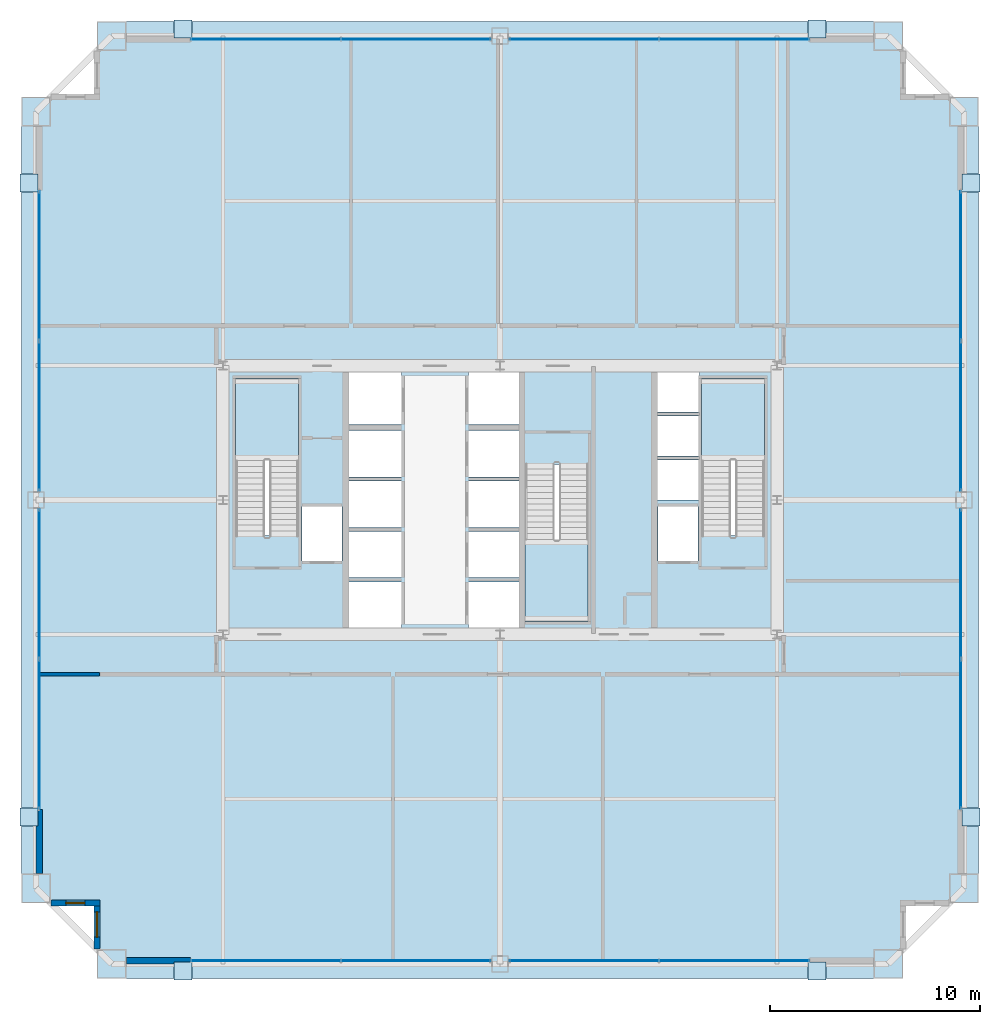
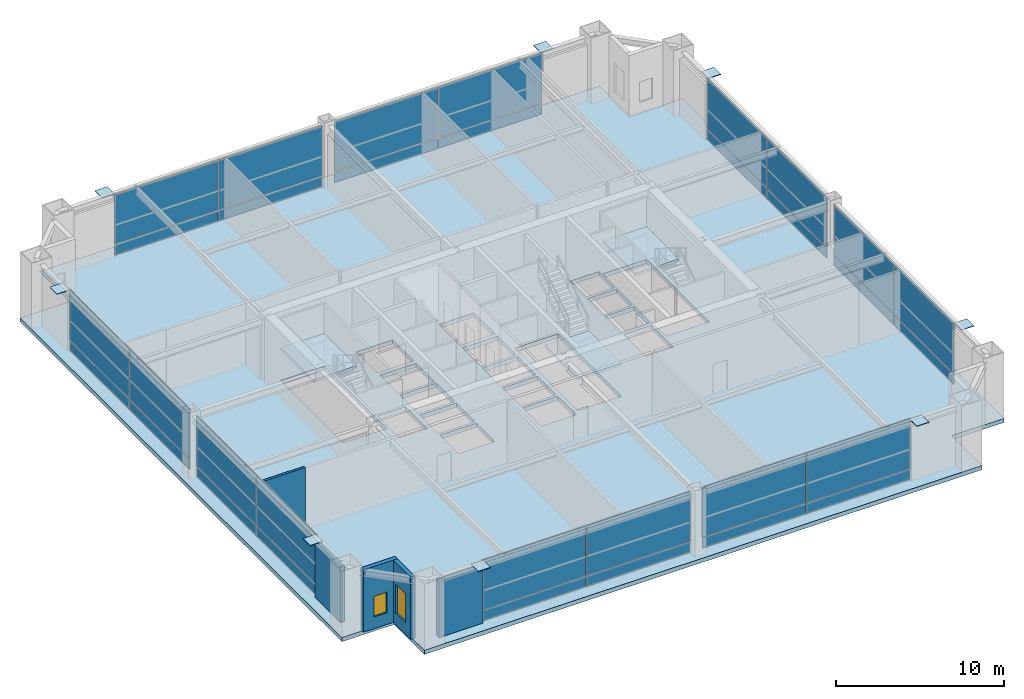
# One storey, part 30 of 34: 40 plates, 5 walls, 4 slabs, 2 windows, 2 openings, 11 elements without a shape of their own.
"""IFC4 building model written with IfcOpenShell, lengths in metres."""

from ifc_helpers import new_model, si_unit, direction, frame, frame_2d, origin, origin_2d, place, context, subcontext, project, spatial, polyline, rectangle, outline, extrude, source, transform, mapped, material, layer, layer_set, type_object, element, fill, aggregate, save


model = new_model("IFC4")

# Units and contexts
model_context = context("Model", 3, precision=1e-05, world=origin(), true_north=direction((0.0, 1.0)))
body_context = subcontext(model_context, "Body", "Model", "MODEL_VIEW")
ifc_project = project(units=[si_unit("LENGTHUNIT", "METRE"), si_unit("AREAUNIT", "SQUARE_METRE"), si_unit("VOLUMEUNIT", "CUBIC_METRE"), si_unit("PLANEANGLEUNIT", "RADIAN"), si_unit("MASSUNIT", "GRAM", prefix="KILO"), si_unit("THERMODYNAMICTEMPERATUREUNIT", "KELVIN"), si_unit("POWERUNIT", "WATT")], contexts=[model_context])

# Site, building, storey
site_placement = place(None, origin())
site = spatial("IfcSite", under=ifc_project, at=site_placement, CompositionType="ELEMENT")
building_placement = place(site_placement, origin())
building = spatial("IfcBuilding", under=site, at=building_placement, Name="Yuzanri Waterfront Tower", CompositionType="ELEMENT")
storey_placement = place(building_placement, frame((0.0, 0.0, 171.60009765625)))
storey = spatial("IfcBuildingStorey", under=building, at=storey_placement, Name="L45", CompositionType="ELEMENT", Elevation=171.60009765625)

# Stair, slab
ifc_material_1 = material(Name="Concrete C40", Category="concrete")
stair_type = type_object("IfcStairType", Name="Concrete C40 Core Dogleg Exit Stair", PredefinedType="HALF_TURN_STAIR", material=ifc_material_1)
stair_1_placement = place(storey_placement, origin())
stair_1 = element("IfcStair", 1, at=stair_1_placement, inside=storey, type_object=stair_type, Name="L45 Smoke-Proof Core Stair ST-01", PredefinedType="HALF_TURN_STAIR")
ifc_material_2 = material(Name="Concrete C40", Category="concrete")
ifc_layer_1 = layer(ifc_material_2, 0.179931640625)
ifc_layer_set_1 = layer_set([ifc_layer_1], Name="Concrete C40")
slab_type_1 = type_object("IfcSlabType", Name="Concrete C40 Stair Half-Landing Slab 180", PredefinedType="LANDING", material=ifc_layer_set_1)
slab_1_placement = place(storey_placement, frame((0.0, 0.0, 2.199951171875)))
slab_1 = element("IfcSlab", 2, at=slab_1_placement, type_object=slab_type_1, Name="ST-01 landing 1", PredefinedType="LANDING", context=body_context, shape_type="SweptSolid", body=[
    extrude(outline(polyline([(27.39990234375, 27.679931640625), (27.39990234375, 31.580078125), (24.39990234375, 31.580078125), (24.39990234375, 27.679931640625), (27.39990234375, 27.679931640625)])), origin(), (0.0, 0.0, 1.0), 0.199951171875),
])
aggregate(stair_1, [slab_1])

stair_2_placement = place(storey_placement, origin())
stair_2 = element("IfcStair", 3, at=stair_2_placement, inside=storey, type_object=stair_type, Name="L45 Smoke-Proof Core Stair ST-02", PredefinedType="HALF_TURN_STAIR")
slab_2_placement = place(storey_placement, frame((0.0, 0.0, 2.199951171875)))
slab_2 = element("IfcSlab", 4, at=slab_2_placement, type_object=slab_type_1, Name="ST-02 landing 1", PredefinedType="LANDING", context=body_context, shape_type="SweptSolid", body=[
    extrude(outline(polyline([(49.60009765625, 27.679931640625), (49.60009765625, 31.580078125), (46.60009765625, 31.580078125), (46.60009765625, 27.679931640625), (49.60009765625, 27.679931640625)])), origin(), (0.0, 0.0, 1.0), 0.199951171875),
])
aggregate(stair_2, [slab_2])

stair_3_placement = place(storey_placement, origin())
stair_3 = element("IfcStair", 5, at=stair_3_placement, inside=storey, type_object=stair_type, Name="L45 Smoke-Proof Core Stair ST-03", PredefinedType="HALF_TURN_STAIR")
slab_3_placement = place(storey_placement, frame((0.0, 0.0, 2.199951171875)))
slab_3 = element("IfcSlab", 6, at=slab_3_placement, type_object=slab_type_1, Name="ST-03 landing 1", PredefinedType="LANDING", context=body_context, shape_type="SweptSolid", body=[
    extrude(outline(polyline([(38.199951171875, 23.919921875), (38.199951171875, 20.02001953125), (41.199951171875, 20.02001953125), (41.199951171875, 23.919921875), (38.199951171875, 23.919921875)])), origin(), (0.0, 0.0, 1.0), 0.199951171875),
])
aggregate(stair_3, [slab_3])

# Slab
ifc_material_3 = material(Name="Concrete C45", Category="concrete")
ifc_layer_2 = layer(ifc_material_3, 0.300048828125)
ifc_layer_set_2 = layer_set([ifc_layer_2], Name="Concrete C45")
slab_type_2 = type_object("IfcSlabType", Name="Concrete C45 Transfer and Sky-Lobby Structural Floor Slab 300", PredefinedType="FLOOR", material=ifc_layer_set_2)
slab_4_placement = place(storey_placement, frame((0.0, 0.0, -0.300048828125)))
element("IfcSlab", 7, at=slab_4_placement, inside=storey, type_object=slab_type_2, Name="L45 Main Structural Floor Slab", PredefinedType="FLOOR", context=body_context, shape_type="SweptSolid", body=[
    extrude(outline(polyline([(17.800048828125, 3.0), (56.199951171875, 3.0), (56.199951171875, 6.60009765625), (59.800048828125, 6.60009765625), (59.800048828125, 45.0), (56.199951171875, 45.0), (56.199951171875, 48.60009765625), (17.800048828125, 48.60009765625), (17.800048828125, 45.0), (14.199951171875, 45.0), (14.199951171875, 6.60009765625), (17.800048828125, 6.60009765625), (17.800048828125, 3.0)]), holes=[polyline([(27.39990234375, 24.10009765625), (27.39990234375, 31.580078125), (24.39990234375, 31.580078125), (24.39990234375, 24.10009765625), (27.39990234375, 24.10009765625)]), polyline([(49.60009765625, 24.10009765625), (49.60009765625, 31.580078125), (46.60009765625, 31.580078125), (46.60009765625, 24.10009765625), (49.60009765625, 24.10009765625)]), polyline([(38.199951171875, 27.5), (38.199951171875, 20.02001953125), (41.199951171875, 20.02001953125), (41.199951171875, 27.5), (38.199951171875, 27.5)]), polyline([(27.56005859375, 22.89990234375), (29.47998046875, 22.89990234375), (29.47998046875, 25.5), (27.56005859375, 25.5), (27.56005859375, 22.89990234375)]), polyline([(44.52001953125, 22.89990234375), (46.43994140625, 22.89990234375), (46.43994140625, 25.5), (44.52001953125, 25.5), (44.52001953125, 22.89990234375)]), polyline([(29.800048828125, 19.699951171875), (32.300048828125, 19.699951171875), (32.300048828125, 21.89990234375), (29.800048828125, 21.89990234375), (29.800048828125, 19.699951171875)]), polyline([(29.800048828125, 22.10009765625), (32.300048828125, 22.10009765625), (32.300048828125, 24.300048828125), (29.800048828125, 24.300048828125), (29.800048828125, 22.10009765625)]), polyline([(29.800048828125, 24.5), (32.300048828125, 24.5), (32.300048828125, 26.699951171875), (29.800048828125, 26.699951171875), (29.800048828125, 24.5)]), polyline([(29.800048828125, 26.89990234375), (32.300048828125, 26.89990234375), (32.300048828125, 29.10009765625), (29.800048828125, 29.10009765625), (29.800048828125, 26.89990234375)]), polyline([(29.800048828125, 29.39990234375), (32.300048828125, 29.39990234375), (32.300048828125, 31.89990234375), (29.800048828125, 31.89990234375), (29.800048828125, 29.39990234375)]), polyline([(35.5, 19.699951171875), (37.89990234375, 19.699951171875), (37.89990234375, 21.89990234375), (35.5, 21.89990234375), (35.5, 19.699951171875)]), polyline([(35.5, 22.10009765625), (37.89990234375, 22.10009765625), (37.89990234375, 24.300048828125), (35.5, 24.300048828125), (35.5, 22.10009765625)]), polyline([(35.5, 24.5), (37.89990234375, 24.5), (37.89990234375, 26.699951171875), (35.5, 26.699951171875), (35.5, 24.5)]), polyline([(35.5, 26.89990234375), (37.89990234375, 26.89990234375), (37.89990234375, 29.10009765625), (35.5, 29.10009765625), (35.5, 26.89990234375)]), polyline([(35.5, 29.39990234375), (37.89990234375, 29.39990234375), (37.89990234375, 31.89990234375), (35.5, 31.89990234375), (35.5, 29.39990234375)]), polyline([(44.5, 25.800048828125), (46.5, 25.800048828125), (46.5, 27.699951171875), (44.5, 27.699951171875), (44.5, 25.800048828125)]), polyline([(44.5, 27.89990234375), (46.5, 27.89990234375), (46.5, 29.800048828125), (44.5, 29.800048828125), (44.5, 27.89990234375)]), polyline([(44.5, 30.0), (46.5, 30.0), (46.5, 31.89990234375), (44.5, 31.89990234375), (44.5, 30.0)])]), origin(), (0.0, 0.0, 1.0), 0.300048828125),
])

# Plates
ifc_material_4 = material(Name="Steel Q420GJC", Category="steel")
ifc_layer_3 = layer(ifc_material_4, 0.0400390625)
ifc_layer_set_3 = layer_set([ifc_layer_3], Name="Steel Q420GJC")
plate_type_1 = type_object("IfcPlateType", Name="Steel Q420GJC Mega-Brace Gusset and End-Cap Plate 40", PredefinedType="SHEET", material=ifc_layer_set_3)
shared_shape_1 = source(origin(), body_context, "Body", "SweptSolid", [
    extrude(rectangle(XDim=0.85009765625, YDim=0.85009765625, at=origin_2d()), origin(), (0.0, 0.0, 1.0), 0.0400390625),
])
for number, where, z_axis, x_axis, name in (
    (8, (21.89990234375, 3.360107421875, 4.4599609375), (0.0, 0.0, 1.0), (1.0, 0.0, 0.0), "L45 Mega-Brace Apex Cap Plate S-L"),
    (9, (52.10009765625, 3.360107421875, 4.4599609375), (0.0, 0.0, 1.0), (1.0, 0.0, 0.0), "L45 Mega-Brace Apex Cap Plate S-R"),
    (10, (21.89990234375, 48.239990234375, 4.4599609375), (0.0, 0.0, 1.0), (1.0, 0.0, 0.0), "L45 Mega-Brace Apex Cap Plate N-L"),
    (11, (52.10009765625, 48.239990234375, 4.4599609375), (0.0, 0.0, 1.0), (1.0, 0.0, 0.0), "L45 Mega-Brace Apex Cap Plate N-R"),
    (12, (14.56005859375, 10.699951171875, 4.4599609375), (0.0, 0.0, 1.0), (1.0, 0.0, 0.0), "L45 Mega-Brace Apex Cap Plate W-L"),
    (13, (14.56005859375, 40.89990234375, 4.4599609375), (0.0, 0.0, 1.0), (1.0, 0.0, 0.0), "L45 Mega-Brace Apex Cap Plate W-R"),
    (14, (59.43994140625, 10.699951171875, 4.4599609375), (0.0, 0.0, 1.0), (1.0, 0.0, 0.0), "L45 Mega-Brace Apex Cap Plate E-L"),
    (15, (59.43994140625, 40.89990234375, 4.4599609375), (0.0, 0.0, 1.0), (1.0, 0.0, 0.0), "L45 Mega-Brace Apex Cap Plate E-R"),
):
    element("IfcPlate", number, at=place(storey_placement, frame(where, z_axis=z_axis, x_axis=x_axis)), inside=storey, type_object=plate_type_1, Name=name, PredefinedType="SHEET", context=body_context, shape_type="MappedRepresentation", body=[
        mapped(shared_shape_1, transform((0.0, 0.0, 0.0), scale=1.0)),
    ])

# Curtain wall, plates
ifc_material_5 = material(Name="Anodized Architectural Bronze", Category="metal")
ifc_layer_4 = layer(ifc_material_5, 0.159912109375)
ifc_layer_set_4 = layer_set([ifc_layer_4], Name="Anodized Architectural Bronze")
curtain_wall_type = type_object("IfcCurtainWallType", Name="Anodized Bronze Sky-Lobby Triple-Glazed Feature Curtain Wall 7500", PredefinedType="NOTDEFINED", material=ifc_layer_set_4)
curtain_wall_1_placement = place(storey_placement, origin())
curtain_wall_1 = element("IfcCurtainWall", 16, at=curtain_wall_1_placement, inside=storey, type_object=curtain_wall_type, Name="L45 Curtain Wall CW-L45-SL", PredefinedType="NOTDEFINED")
ifc_material_6 = material(Name="Anodized Architectural Bronze", Category="metal")
ifc_layer_5 = layer(ifc_material_6, 0.028076171875)
ifc_layer_set_5 = layer_set([ifc_layer_5], Name="Anodized Architectural Bronze")
plate_type_2 = type_object("IfcPlateType", Name="Bronze Insulated Spandrel Shadow-Box Panel 28", PredefinedType="CURTAIN_PANEL", material=ifc_layer_set_5)
shared_shape_2 = source(origin(), body_context, "Body", "SweptSolid", [
    extrude(rectangle(XDim=7.094970703125, YDim=0.028076171875, at=origin_2d()), origin(), (0.0, 0.0, 1.0), 0.739990234375),
])
plate_1_placement = place(storey_placement, frame((25.83740234375, 3.85009765625, 0.0498046875), z_axis=(0.0, 0.0, 1.0), x_axis=(1.0, 0.0, 0.0)))
plate_1 = element("IfcPlate", 17, at=plate_1_placement, type_object=plate_type_2, Name="CW-L45-SL Spandrel Panel 01", PredefinedType="CURTAIN_PANEL", context=body_context, shape_type="MappedRepresentation", body=[
    mapped(shared_shape_2, transform((0.0, 0.0, 0.0), scale=1.0)),
])
plate_2_placement = place(storey_placement, frame((33.012451171875, 3.85009765625, 0.0498046875), z_axis=(0.0, 0.0, 1.0), x_axis=(1.0, 0.0, 0.0)))
plate_2 = element("IfcPlate", 18, at=plate_2_placement, type_object=plate_type_2, Name="CW-L45-SL Spandrel Panel 02", PredefinedType="CURTAIN_PANEL", context=body_context, shape_type="MappedRepresentation", body=[
    mapped(shared_shape_2, transform((0.0, 0.0, 0.0), scale=1.0)),
])

curtain_wall_2_placement = place(storey_placement, origin())
curtain_wall_2 = element("IfcCurtainWall", 19, at=curtain_wall_2_placement, inside=storey, type_object=curtain_wall_type, Name="L45 Curtain Wall CW-L45-SR", PredefinedType="NOTDEFINED")
plate_3_placement = place(storey_placement, frame((40.987548828125, 3.85009765625, 0.0498046875), z_axis=(0.0, 0.0, 1.0), x_axis=(1.0, 0.0, 0.0)))
plate_3 = element("IfcPlate", 20, at=plate_3_placement, type_object=plate_type_2, Name="CW-L45-SR Spandrel Panel 01", PredefinedType="CURTAIN_PANEL", context=body_context, shape_type="MappedRepresentation", body=[
    mapped(shared_shape_2, transform((0.0, 0.0, 0.0), scale=1.0)),
])
plate_4_placement = place(storey_placement, frame((48.16259765625, 3.85009765625, 0.0498046875), z_axis=(0.0, 0.0, 1.0), x_axis=(1.0, 0.0, 0.0)))
plate_4 = element("IfcPlate", 21, at=plate_4_placement, type_object=plate_type_2, Name="CW-L45-SR Spandrel Panel 02", PredefinedType="CURTAIN_PANEL", context=body_context, shape_type="MappedRepresentation", body=[
    mapped(shared_shape_2, transform((0.0, 0.0, 0.0), scale=1.0)),
])

curtain_wall_3_placement = place(storey_placement, origin())
curtain_wall_3 = element("IfcCurtainWall", 22, at=curtain_wall_3_placement, inside=storey, type_object=curtain_wall_type, Name="L45 Curtain Wall CW-L45-NL", PredefinedType="NOTDEFINED")
plate_5_placement = place(storey_placement, frame((25.83740234375, 47.75, 0.0498046875), z_axis=(0.0, 0.0, 1.0), x_axis=(1.0, 0.0, 0.0)))
plate_5 = element("IfcPlate", 23, at=plate_5_placement, type_object=plate_type_2, Name="CW-L45-NL Spandrel Panel 01", PredefinedType="CURTAIN_PANEL", context=body_context, shape_type="MappedRepresentation", body=[
    mapped(shared_shape_2, transform((0.0, 0.0, 0.0), scale=1.0)),
])
plate_6_placement = place(storey_placement, frame((33.012451171875, 47.75, 0.0498046875), z_axis=(0.0, 0.0, 1.0), x_axis=(1.0, 0.0, 0.0)))
plate_6 = element("IfcPlate", 24, at=plate_6_placement, type_object=plate_type_2, Name="CW-L45-NL Spandrel Panel 02", PredefinedType="CURTAIN_PANEL", context=body_context, shape_type="MappedRepresentation", body=[
    mapped(shared_shape_2, transform((0.0, 0.0, 0.0), scale=1.0)),
])

curtain_wall_4_placement = place(storey_placement, origin())
curtain_wall_4 = element("IfcCurtainWall", 25, at=curtain_wall_4_placement, inside=storey, type_object=curtain_wall_type, Name="L45 Curtain Wall CW-L45-NR", PredefinedType="NOTDEFINED")
plate_7_placement = place(storey_placement, frame((40.987548828125, 47.75, 0.0498046875), z_axis=(0.0, 0.0, 1.0), x_axis=(1.0, 0.0, 0.0)))
plate_7 = element("IfcPlate", 26, at=plate_7_placement, type_object=plate_type_2, Name="CW-L45-NR Spandrel Panel 01", PredefinedType="CURTAIN_PANEL", context=body_context, shape_type="MappedRepresentation", body=[
    mapped(shared_shape_2, transform((0.0, 0.0, 0.0), scale=1.0)),
])
plate_8_placement = place(storey_placement, frame((48.16259765625, 47.75, 0.0498046875), z_axis=(0.0, 0.0, 1.0), x_axis=(1.0, 0.0, 0.0)))
plate_8 = element("IfcPlate", 27, at=plate_8_placement, type_object=plate_type_2, Name="CW-L45-NR Spandrel Panel 02", PredefinedType="CURTAIN_PANEL", context=body_context, shape_type="MappedRepresentation", body=[
    mapped(shared_shape_2, transform((0.0, 0.0, 0.0), scale=1.0)),
])

curtain_wall_5_placement = place(storey_placement, origin())
curtain_wall_5 = element("IfcCurtainWall", 28, at=curtain_wall_5_placement, inside=storey, type_object=curtain_wall_type, Name="L45 Curtain Wall CW-L45-WL", PredefinedType="NOTDEFINED")
plate_9_placement = place(storey_placement, frame((15.050048828125, 14.637451171875, 0.0498046875), z_axis=(0.0, 0.0, 1.0), x_axis=(0.0, 1.0, 0.0)))
plate_9 = element("IfcPlate", 29, at=plate_9_placement, type_object=plate_type_2, Name="CW-L45-WL Spandrel Panel 01", PredefinedType="CURTAIN_PANEL", context=body_context, shape_type="MappedRepresentation", body=[
    mapped(shared_shape_2, transform((0.0, 0.0, 0.0), scale=1.0)),
])
plate_10_placement = place(storey_placement, frame((15.050048828125, 21.8125, 0.0498046875), z_axis=(0.0, 0.0, 1.0), x_axis=(0.0, 1.0, 0.0)))
plate_10 = element("IfcPlate", 30, at=plate_10_placement, type_object=plate_type_2, Name="CW-L45-WL Spandrel Panel 02", PredefinedType="CURTAIN_PANEL", context=body_context, shape_type="MappedRepresentation", body=[
    mapped(shared_shape_2, transform((0.0, 0.0, 0.0), scale=1.0)),
])

curtain_wall_6_placement = place(storey_placement, origin())
curtain_wall_6 = element("IfcCurtainWall", 31, at=curtain_wall_6_placement, inside=storey, type_object=curtain_wall_type, Name="L45 Curtain Wall CW-L45-WR", PredefinedType="NOTDEFINED")
plate_11_placement = place(storey_placement, frame((15.050048828125, 29.78759765625, 0.0498046875), z_axis=(0.0, 0.0, 1.0), x_axis=(0.0, 1.0, 0.0)))
plate_11 = element("IfcPlate", 32, at=plate_11_placement, type_object=plate_type_2, Name="CW-L45-WR Spandrel Panel 01", PredefinedType="CURTAIN_PANEL", context=body_context, shape_type="MappedRepresentation", body=[
    mapped(shared_shape_2, transform((0.0, 0.0, 0.0), scale=1.0)),
])
plate_12_placement = place(storey_placement, frame((15.050048828125, 36.96240234375, 0.0498046875), z_axis=(0.0, 0.0, 1.0), x_axis=(0.0, 1.0, 0.0)))
plate_12 = element("IfcPlate", 33, at=plate_12_placement, type_object=plate_type_2, Name="CW-L45-WR Spandrel Panel 02", PredefinedType="CURTAIN_PANEL", context=body_context, shape_type="MappedRepresentation", body=[
    mapped(shared_shape_2, transform((0.0, 0.0, 0.0), scale=1.0)),
])

curtain_wall_7_placement = place(storey_placement, origin())
curtain_wall_7 = element("IfcCurtainWall", 34, at=curtain_wall_7_placement, inside=storey, type_object=curtain_wall_type, Name="L45 Curtain Wall CW-L45-EL", PredefinedType="NOTDEFINED")
plate_13_placement = place(storey_placement, frame((58.949951171875, 14.637451171875, 0.0498046875), z_axis=(0.0, 0.0, 1.0), x_axis=(0.0, 1.0, 0.0)))
plate_13 = element("IfcPlate", 35, at=plate_13_placement, type_object=plate_type_2, Name="CW-L45-EL Spandrel Panel 01", PredefinedType="CURTAIN_PANEL", context=body_context, shape_type="MappedRepresentation", body=[
    mapped(shared_shape_2, transform((0.0, 0.0, 0.0), scale=1.0)),
])
plate_14_placement = place(storey_placement, frame((58.949951171875, 21.8125, 0.0498046875), z_axis=(0.0, 0.0, 1.0), x_axis=(0.0, 1.0, 0.0)))
plate_14 = element("IfcPlate", 36, at=plate_14_placement, type_object=plate_type_2, Name="CW-L45-EL Spandrel Panel 02", PredefinedType="CURTAIN_PANEL", context=body_context, shape_type="MappedRepresentation", body=[
    mapped(shared_shape_2, transform((0.0, 0.0, 0.0), scale=1.0)),
])

curtain_wall_8_placement = place(storey_placement, origin())
curtain_wall_8 = element("IfcCurtainWall", 37, at=curtain_wall_8_placement, inside=storey, type_object=curtain_wall_type, Name="L45 Curtain Wall CW-L45-ER", PredefinedType="NOTDEFINED")
plate_15_placement = place(storey_placement, frame((58.949951171875, 29.78759765625, 0.0498046875), z_axis=(0.0, 0.0, 1.0), x_axis=(0.0, 1.0, 0.0)))
plate_15 = element("IfcPlate", 38, at=plate_15_placement, type_object=plate_type_2, Name="CW-L45-ER Spandrel Panel 01", PredefinedType="CURTAIN_PANEL", context=body_context, shape_type="MappedRepresentation", body=[
    mapped(shared_shape_2, transform((0.0, 0.0, 0.0), scale=1.0)),
])
plate_16_placement = place(storey_placement, frame((58.949951171875, 36.96240234375, 0.0498046875), z_axis=(0.0, 0.0, 1.0), x_axis=(0.0, 1.0, 0.0)))
plate_16 = element("IfcPlate", 39, at=plate_16_placement, type_object=plate_type_2, Name="CW-L45-ER Spandrel Panel 02", PredefinedType="CURTAIN_PANEL", context=body_context, shape_type="MappedRepresentation", body=[
    mapped(shared_shape_2, transform((0.0, 0.0, 0.0), scale=1.0)),
])

# Plate
ifc_material_7 = material(Name="Triple Low-E Laminated Insulated Glass", Category="glass")
ifc_layer_6 = layer(ifc_material_7, 0.0439453125)
ifc_layer_set_6 = layer_set([ifc_layer_6], Name="Triple Low-E Laminated Insulated Glass")
plate_type_3 = type_object("IfcPlateType", Name="Triple Glazed Acoustic Vision Glass Panel 44", PredefinedType="CURTAIN_PANEL", material=ifc_layer_set_6)
shared_shape_3 = source(origin(), body_context, "Body", "SweptSolid", [
    extrude(rectangle(XDim=7.094970703125, YDim=0.0439453125, at=origin_2d()), origin(), (0.0, 0.0, 1.0), 3.6201171875),
])
plate_17_placement = place(storey_placement, frame((25.83740234375, 3.85009765625, 0.849853515625), z_axis=(0.0, 0.0, 1.0), x_axis=(1.0, 0.0, 0.0)))
plate_17 = element("IfcPlate", 40, at=plate_17_placement, type_object=plate_type_3, Name="CW-L45-SL Vision Glass Panel 01", PredefinedType="CURTAIN_PANEL", context=body_context, shape_type="MappedRepresentation", body=[
    mapped(shared_shape_3, transform((0.0, 0.0, 0.0), scale=1.0)),
])

plate_18_placement = place(storey_placement, frame((33.012451171875, 3.85009765625, 0.849853515625), z_axis=(0.0, 0.0, 1.0), x_axis=(1.0, 0.0, 0.0)))
plate_18 = element("IfcPlate", 41, at=plate_18_placement, type_object=plate_type_3, Name="CW-L45-SL Vision Glass Panel 02", PredefinedType="CURTAIN_PANEL", context=body_context, shape_type="MappedRepresentation", body=[
    mapped(shared_shape_3, transform((0.0, 0.0, 0.0), scale=1.0)),
])

aggregate(curtain_wall_1, [plate_1, plate_17, plate_2, plate_18])

plate_19_placement = place(storey_placement, frame((40.987548828125, 3.85009765625, 0.849853515625), z_axis=(0.0, 0.0, 1.0), x_axis=(1.0, 0.0, 0.0)))
plate_19 = element("IfcPlate", 42, at=plate_19_placement, type_object=plate_type_3, Name="CW-L45-SR Vision Glass Panel 01", PredefinedType="CURTAIN_PANEL", context=body_context, shape_type="MappedRepresentation", body=[
    mapped(shared_shape_3, transform((0.0, 0.0, 0.0), scale=1.0)),
])

plate_20_placement = place(storey_placement, frame((48.16259765625, 3.85009765625, 0.849853515625), z_axis=(0.0, 0.0, 1.0), x_axis=(1.0, 0.0, 0.0)))
plate_20 = element("IfcPlate", 43, at=plate_20_placement, type_object=plate_type_3, Name="CW-L45-SR Vision Glass Panel 02", PredefinedType="CURTAIN_PANEL", context=body_context, shape_type="MappedRepresentation", body=[
    mapped(shared_shape_3, transform((0.0, 0.0, 0.0), scale=1.0)),
])

aggregate(curtain_wall_2, [plate_3, plate_19, plate_4, plate_20])

plate_21_placement = place(storey_placement, frame((25.83740234375, 47.75, 0.849853515625), z_axis=(0.0, 0.0, 1.0), x_axis=(1.0, 0.0, 0.0)))
plate_21 = element("IfcPlate", 44, at=plate_21_placement, type_object=plate_type_3, Name="CW-L45-NL Vision Glass Panel 01", PredefinedType="CURTAIN_PANEL", context=body_context, shape_type="MappedRepresentation", body=[
    mapped(shared_shape_3, transform((0.0, 0.0, 0.0), scale=1.0)),
])

plate_22_placement = place(storey_placement, frame((33.012451171875, 47.75, 0.849853515625), z_axis=(0.0, 0.0, 1.0), x_axis=(1.0, 0.0, 0.0)))
plate_22 = element("IfcPlate", 45, at=plate_22_placement, type_object=plate_type_3, Name="CW-L45-NL Vision Glass Panel 02", PredefinedType="CURTAIN_PANEL", context=body_context, shape_type="MappedRepresentation", body=[
    mapped(shared_shape_3, transform((0.0, 0.0, 0.0), scale=1.0)),
])

aggregate(curtain_wall_3, [plate_5, plate_21, plate_6, plate_22])

plate_23_placement = place(storey_placement, frame((40.987548828125, 47.75, 0.849853515625), z_axis=(0.0, 0.0, 1.0), x_axis=(1.0, 0.0, 0.0)))
plate_23 = element("IfcPlate", 46, at=plate_23_placement, type_object=plate_type_3, Name="CW-L45-NR Vision Glass Panel 01", PredefinedType="CURTAIN_PANEL", context=body_context, shape_type="MappedRepresentation", body=[
    mapped(shared_shape_3, transform((0.0, 0.0, 0.0), scale=1.0)),
])

plate_24_placement = place(storey_placement, frame((48.16259765625, 47.75, 0.849853515625), z_axis=(0.0, 0.0, 1.0), x_axis=(1.0, 0.0, 0.0)))
plate_24 = element("IfcPlate", 47, at=plate_24_placement, type_object=plate_type_3, Name="CW-L45-NR Vision Glass Panel 02", PredefinedType="CURTAIN_PANEL", context=body_context, shape_type="MappedRepresentation", body=[
    mapped(shared_shape_3, transform((0.0, 0.0, 0.0), scale=1.0)),
])

aggregate(curtain_wall_4, [plate_7, plate_23, plate_8, plate_24])

plate_25_placement = place(storey_placement, frame((15.050048828125, 14.637451171875, 0.849853515625), z_axis=(0.0, 0.0, 1.0), x_axis=(0.0, 1.0, 0.0)))
plate_25 = element("IfcPlate", 48, at=plate_25_placement, type_object=plate_type_3, Name="CW-L45-WL Vision Glass Panel 01", PredefinedType="CURTAIN_PANEL", context=body_context, shape_type="MappedRepresentation", body=[
    mapped(shared_shape_3, transform((0.0, 0.0, 0.0), scale=1.0)),
])

plate_26_placement = place(storey_placement, frame((15.050048828125, 21.8125, 0.849853515625), z_axis=(0.0, 0.0, 1.0), x_axis=(0.0, 1.0, 0.0)))
plate_26 = element("IfcPlate", 49, at=plate_26_placement, type_object=plate_type_3, Name="CW-L45-WL Vision Glass Panel 02", PredefinedType="CURTAIN_PANEL", context=body_context, shape_type="MappedRepresentation", body=[
    mapped(shared_shape_3, transform((0.0, 0.0, 0.0), scale=1.0)),
])

aggregate(curtain_wall_5, [plate_9, plate_25, plate_10, plate_26])

plate_27_placement = place(storey_placement, frame((15.050048828125, 29.78759765625, 0.849853515625), z_axis=(0.0, 0.0, 1.0), x_axis=(0.0, 1.0, 0.0)))
plate_27 = element("IfcPlate", 50, at=plate_27_placement, type_object=plate_type_3, Name="CW-L45-WR Vision Glass Panel 01", PredefinedType="CURTAIN_PANEL", context=body_context, shape_type="MappedRepresentation", body=[
    mapped(shared_shape_3, transform((0.0, 0.0, 0.0), scale=1.0)),
])

plate_28_placement = place(storey_placement, frame((15.050048828125, 36.96240234375, 0.849853515625), z_axis=(0.0, 0.0, 1.0), x_axis=(0.0, 1.0, 0.0)))
plate_28 = element("IfcPlate", 51, at=plate_28_placement, type_object=plate_type_3, Name="CW-L45-WR Vision Glass Panel 02", PredefinedType="CURTAIN_PANEL", context=body_context, shape_type="MappedRepresentation", body=[
    mapped(shared_shape_3, transform((0.0, 0.0, 0.0), scale=1.0)),
])

aggregate(curtain_wall_6, [plate_11, plate_27, plate_12, plate_28])

plate_29_placement = place(storey_placement, frame((58.949951171875, 14.637451171875, 0.849853515625), z_axis=(0.0, 0.0, 1.0), x_axis=(0.0, 1.0, 0.0)))
plate_29 = element("IfcPlate", 52, at=plate_29_placement, type_object=plate_type_3, Name="CW-L45-EL Vision Glass Panel 01", PredefinedType="CURTAIN_PANEL", context=body_context, shape_type="MappedRepresentation", body=[
    mapped(shared_shape_3, transform((0.0, 0.0, 0.0), scale=1.0)),
])

plate_30_placement = place(storey_placement, frame((58.949951171875, 21.8125, 0.849853515625), z_axis=(0.0, 0.0, 1.0), x_axis=(0.0, 1.0, 0.0)))
plate_30 = element("IfcPlate", 53, at=plate_30_placement, type_object=plate_type_3, Name="CW-L45-EL Vision Glass Panel 02", PredefinedType="CURTAIN_PANEL", context=body_context, shape_type="MappedRepresentation", body=[
    mapped(shared_shape_3, transform((0.0, 0.0, 0.0), scale=1.0)),
])

aggregate(curtain_wall_7, [plate_13, plate_29, plate_14, plate_30])

plate_31_placement = place(storey_placement, frame((58.949951171875, 29.78759765625, 0.849853515625), z_axis=(0.0, 0.0, 1.0), x_axis=(0.0, 1.0, 0.0)))
plate_31 = element("IfcPlate", 54, at=plate_31_placement, type_object=plate_type_3, Name="CW-L45-ER Vision Glass Panel 01", PredefinedType="CURTAIN_PANEL", context=body_context, shape_type="MappedRepresentation", body=[
    mapped(shared_shape_3, transform((0.0, 0.0, 0.0), scale=1.0)),
])

plate_32_placement = place(storey_placement, frame((58.949951171875, 36.96240234375, 0.849853515625), z_axis=(0.0, 0.0, 1.0), x_axis=(0.0, 1.0, 0.0)))
plate_32 = element("IfcPlate", 55, at=plate_32_placement, type_object=plate_type_3, Name="CW-L45-ER Vision Glass Panel 02", PredefinedType="CURTAIN_PANEL", context=body_context, shape_type="MappedRepresentation", body=[
    mapped(shared_shape_3, transform((0.0, 0.0, 0.0), scale=1.0)),
])

aggregate(curtain_wall_8, [plate_15, plate_31, plate_16, plate_32])

# Wall, opening, window
ifc_material_8 = material(Name="Honed Chongqing Dark Basalt Stone", Category="masonry")
ifc_layer_7 = layer(ifc_material_8, 0.300048828125)
ifc_layer_set_7 = layer_set([ifc_layer_7], Name="Honed Chongqing Dark Basalt Stone")
wall_type_1 = type_object("IfcWallType", Name="Bronze Rainscreen Insulated Spandrel Portal Wall 300", PredefinedType="SOLIDWALL", material=ifc_layer_set_7)
wall_1_placement = place(storey_placement, frame((15.60009765625, 6.60009765625, 0.0), z_axis=(0.0, 0.0, 1.0), x_axis=(1.0, 0.0, 0.0)))
wall_1 = element("IfcWall", 56, at=wall_1_placement, inside=storey, type_object=wall_type_1, Name="L45 Notched Corner Masonry Wall SW-X", PredefinedType="SOLIDWALL", context=body_context, shape_type="SweptSolid", body=[
    extrude(rectangle(XDim=2.349853515625, YDim=0.300048828125, at=frame_2d((1.1748046875, 0.0))), origin(), (0.0, 0.0, 1.0), 4.52001953125),
])
opening_1_placement = place(wall_1_placement, frame((0.72509765625, 0.0, 0.85009765625)))
opening_1 = element("IfcOpeningElement", 57, at=opening_1_placement, cuts=wall_1, Name="Opening WN-05", PredefinedType="OPENING", context=body_context, shape_type="SweptSolid", body=[
    extrude(rectangle(XDim=0.89990234375, YDim=1.5, at=frame_2d((0.449951171875, 0.75))), frame((0.0, 0.1650390625, 0.0), z_axis=(0.0, -1.0, 0.0), x_axis=(1.0, 0.0, 0.0)), (0.0, 0.0, 1.0), 0.329833984375),
])
ifc_material_9 = material(Name="Double-Silver Low-E Insulated Glass", Category="glass")
window_type_1 = type_object("IfcWindowType", Name="Anodized Bronze Service and Stairwell Smoke-Vent Window 900x1500", PartitioningType="SINGLE_PANEL", PredefinedType="WINDOW", material=ifc_material_9)
shared_shape_4 = source(origin(), body_context, "Body", "SweptSolid", [
    extrude(rectangle(XDim=0.89990234375, YDim=1.5, at=frame_2d((0.449951171875, 0.75))), frame((0.0, 0.030029296875, 0.0), z_axis=(0.0, -1.0, 0.0), x_axis=(1.0, 0.0, 0.0)), (0.0, 0.0, 1.0), 0.06005859375),
])
window_1_placement = place(opening_1_placement, origin())
window_1 = element("IfcWindow", 58, at=window_1_placement, inside=storey, type_object=window_type_1, Name="L45 Notched Corner Window SW-X", OverallHeight=1.5, OverallWidth=0.89990234375, PartitioningType="SINGLE_PANEL", PredefinedType="WINDOW", context=body_context, shape_type="MappedRepresentation", body=[
    mapped(shared_shape_4, transform((0.0, 0.0, 0.0), scale=1.0)),
])
fill(opening_1, window_1)

wall_2_placement = place(storey_placement, frame((17.800048828125, 6.75, 0.0), z_axis=(0.0, 0.0, 1.0), x_axis=(0.0, -1.0, 0.0)))
wall_2 = element("IfcWall", 59, at=wall_2_placement, inside=storey, type_object=wall_type_1, Name="L45 Notched Corner Masonry Wall SW-Y", PredefinedType="SOLIDWALL", context=body_context, shape_type="SweptSolid", body=[
    extrude(rectangle(XDim=2.35009765625, YDim=0.300048828125, at=frame_2d((1.175048828125, 0.0))), origin(), (0.0, 0.0, 1.0), 4.52001953125),
])
opening_2_placement = place(wall_2_placement, frame((0.574951171875, 0.0, 0.85009765625)))
opening_2 = element("IfcOpeningElement", 60, at=opening_2_placement, cuts=wall_2, Name="Opening WN-02", PredefinedType="OPENING", context=body_context, shape_type="SweptSolid", body=[
    extrude(rectangle(XDim=1.199951171875, YDim=2.10009765625, at=frame_2d((0.60009765625, 1.050048828125))), frame((0.0, 0.1650390625, 0.0), z_axis=(0.0, -1.0, 0.0), x_axis=(1.0, 0.0, 0.0)), (0.0, 0.0, 1.0), 0.329833984375),
])
ifc_material_10 = material(Name="Double-Silver Low-E Insulated Glass", Category="glass")
window_type_2 = type_object("IfcWindowType", Name="Anodized Bronze Notched Corner Deep-Set Slot Window 1200x2100", PartitioningType="SINGLE_PANEL", PredefinedType="WINDOW", material=ifc_material_10)
shared_shape_5 = source(origin(), body_context, "Body", "SweptSolid", [
    extrude(rectangle(XDim=1.199951171875, YDim=2.10009765625, at=frame_2d((0.60009765625, 1.050048828125))), frame((0.0, 0.030029296875, 0.0), z_axis=(0.0, -1.0, 0.0), x_axis=(1.0, 0.0, 0.0)), (0.0, 0.0, 1.0), 0.06005859375),
])
window_2_placement = place(opening_2_placement, origin())
window_2 = element("IfcWindow", 61, at=window_2_placement, inside=storey, type_object=window_type_2, Name="L45 Notched Corner Window SW-Y", OverallHeight=2.10009765625, OverallWidth=1.199951171875, PartitioningType="SINGLE_PANEL", PredefinedType="WINDOW", context=body_context, shape_type="MappedRepresentation", body=[
    mapped(shared_shape_5, transform((0.0, 0.0, 0.0), scale=1.0)),
])
fill(opening_2, window_2)

# Walls
shared_shape_6 = source(origin(), body_context, "Body", "SweptSolid", [
    extrude(rectangle(XDim=3.050048828125, YDim=0.300048828125, at=frame_2d((1.52490234375, 0.0))), origin(), (0.0, 0.0, 1.0), 4.074951171875),
])
for number, where, z_axis, x_axis, name in (
    (62, (19.199951171875, 3.85009765625, 0.0), (0.0, 0.0, 1.0), (1.0, 0.0, 0.0), "L45 S Left Braced Masonry Shoulder"),
    (63, (15.050048828125, 8.0, 0.0), (0.0, 0.0, 1.0), (0.0, 1.0, 0.0), "L45 W Left Braced Masonry Shoulder"),
):
    element("IfcWall", number, at=place(storey_placement, frame(where, z_axis=z_axis, x_axis=x_axis)), inside=storey, type_object=wall_type_1, Name=name, PredefinedType="SOLIDWALL", context=body_context, shape_type="MappedRepresentation", body=[
        mapped(shared_shape_6, transform((0.0, 0.0, 0.0), scale=1.0)),
    ])
ifc_material_11 = material(Name="Gypsum Fireboard Acoustic Stud Wall", Category="gypsum")
ifc_layer_8 = layer(ifc_material_11, 0.159912109375)
ifc_layer_set_8 = layer_set([ifc_layer_8], Name="Gypsum Fireboard Acoustic Stud Wall")
wall_type_2 = type_object("IfcWallType", Name="Acoustic Suite Demising Partition 160", PredefinedType="PARTITIONING", material=ifc_layer_set_8)
shared_shape_7 = source(origin(), body_context, "Body", "SweptSolid", [
    extrude(rectangle(XDim=2.8798828125, YDim=0.159912109375, at=frame_2d((1.43994140625, 0.0))), origin(), (0.0, 0.0, 1.0), 4.52001953125),
])
wall_3_placement = place(storey_placement, frame((15.050048828125, 17.5, 0.0), z_axis=(0.0, 0.0, 1.0), x_axis=(1.0, 0.0, 0.0)))
element("IfcWall", 64, at=wall_3_placement, inside=storey, type_object=wall_type_2, Name="L45-017 South Wing Wall", PredefinedType="PARTITIONING", context=body_context, shape_type="MappedRepresentation", body=[
    mapped(shared_shape_7, transform((0.0, 0.0, 0.0), scale=1.0)),
])

save(model, "model.ifc")
